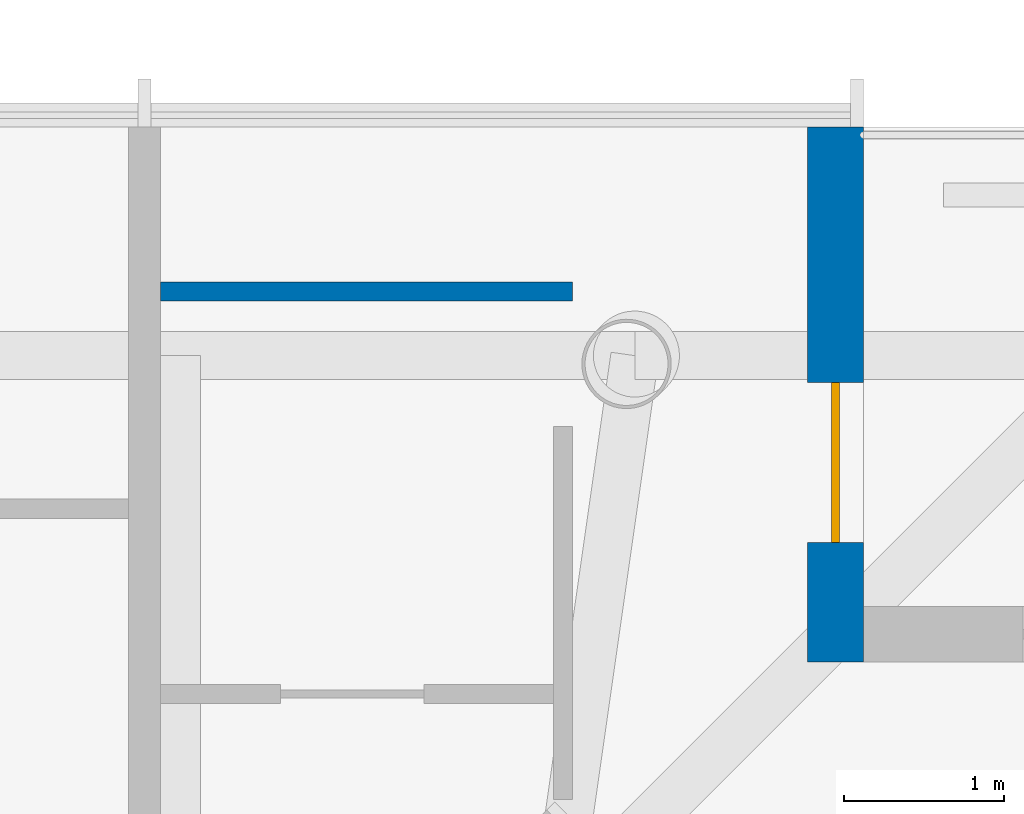
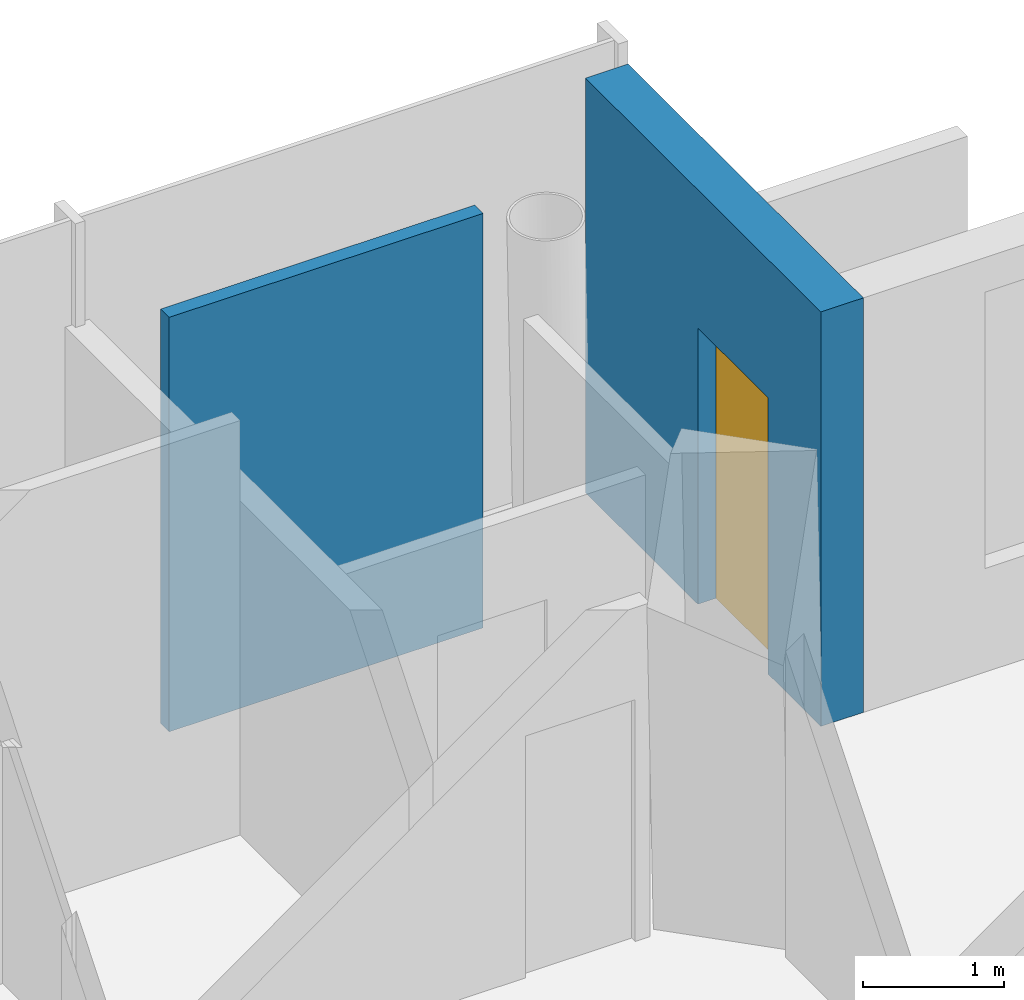
# One storey, part 16 of 27: 2 walls, 1 door, 1 opening.
"""IFC4 building model written with IfcOpenShell, lengths in metres."""

import ifcopenshell
import ifcopenshell.guid

model = None  # the IFC model being written
_history = None  # IfcOwnerHistory: only IFC2X3 demands one
_inside = {}  # id of a spatial element -> (the spatial element, [elements in it])
_under = {}  # id of a project, library or spatial element -> (it, [spatial elements below it])
_declared = {}  # id of a project -> (the project, [libraries it declares])
_typed = {}  # id of a type object -> (the type object, [elements of that type])
_made_of = {}  # id of a material, layer set ... -> (it, [elements and type objects made of it])


def new_model(schema):
    """Start an empty IFC model of exactly this schema.

    Asked for "IFC4X3", IfcOpenShell would pick the latest addendum, in which some entities
    have other attributes; the version numbers below select the first issue.
    IFC2X3 requires an IfcOwnerHistory on every rooted entity: one is made here for all.
    """
    global model, _history
    if schema == "IFC4X3":
        model = ifcopenshell.file(schema_version=(4, 3, 0, 0))
    else:
        model = ifcopenshell.file(schema=schema)
    _inside.clear()
    _under.clear()
    _declared.clear()
    _typed.clear()
    _made_of.clear()
    _history = None
    if model.schema == "IFC2X3":
        org = make("IfcOrganization", Name="unknown")
        user = make(
            "IfcPersonAndOrganization",
            ThePerson=make("IfcPerson", FamilyName="unknown"),
            TheOrganization=org,
        )
        app = make(
            "IfcApplication",
            ApplicationDeveloper=org,
            Version="unknown",
            ApplicationFullName="unknown",
            ApplicationIdentifier="unknown",
        )
        _history = make(
            "IfcOwnerHistory",
            OwningUser=user,
            OwningApplication=app,
            ChangeAction="ADDED",
            CreationDate=0,
        )
    return model


def make(cls, **values):
    """One entity of the class cls with the attributes given. An attribute that is None is left unset."""
    return model.create_entity(
        cls, **{name: value for name, value in values.items() if value is not None}
    )


def rooted(cls, **values):
    """An entity with a GlobalId (a new one), such as an element, a storey or a relation."""
    return make(cls, GlobalId=ifcopenshell.guid.new(), OwnerHistory=_history, **values)


def si_unit(unit_type, name, prefix=None):
    """IfcSIUnit, for example si_unit("LENGTHUNIT", "METRE", prefix="MILLI")."""
    return make("IfcSIUnit", UnitType=unit_type, Prefix=prefix, Name=name)


def assignment(units):
    """IfcUnitAssignment: the units of a project."""
    return None if units is None else make("IfcUnitAssignment", Units=units)


def point(xyz):
    """IfcCartesianPoint."""
    return None if xyz is None else make("IfcCartesianPoint", Coordinates=xyz)


def direction(xyz):
    """IfcDirection."""
    return None if xyz is None else make("IfcDirection", DirectionRatios=xyz)


def frame(location, z_axis=None, x_axis=None):
    """IfcAxis2Placement3D, a coordinate frame: its origin and axes. An axis left out is left unset."""
    return make(
        "IfcAxis2Placement3D",
        Location=point(location),
        Axis=direction(z_axis),
        RefDirection=direction(x_axis),
    )


def frame_2d(location, x_axis=None):
    """IfcAxis2Placement2D, a coordinate frame in the plane: its origin and x axis."""
    return make(
        "IfcAxis2Placement2D", Location=point(location), RefDirection=direction(x_axis)
    )


def origin():
    """The frame at (0, 0, 0) with its axes left unset."""
    return frame((0.0, 0.0, 0.0))


def place(relative_to, where):
    """IfcLocalPlacement: puts the frame where relative to a parent placement (None: the world)."""
    return make(
        "IfcLocalPlacement", PlacementRelTo=relative_to, RelativePlacement=where
    )


def context(
    kind, dimensions, precision=None, world=None, true_north=None, identifier=None
):
    """IfcGeometricRepresentationContext, for example the 3D "Model" context."""
    return make(
        "IfcGeometricRepresentationContext",
        ContextIdentifier=identifier,
        ContextType=kind,
        CoordinateSpaceDimension=dimensions,
        Precision=precision,
        WorldCoordinateSystem=world,
        TrueNorth=true_north,
    )


def subcontext(parent, identifier, kind, view, scale=None):
    """IfcGeometricRepresentationSubContext, for example "Body" below "Model"."""
    return make(
        "IfcGeometricRepresentationSubContext",
        ContextIdentifier=identifier,
        ContextType=kind,
        ParentContext=parent,
        TargetScale=scale,
        TargetView=view,
    )


def project(units=None, contexts=None):
    """IfcProject with its units and contexts."""
    return rooted(
        "IfcProject",
        Name="project",
        RepresentationContexts=contexts,
        UnitsInContext=assignment(units),
    )


def spatial(cls, under=None, at=None, **own):
    """A site, building, storey or space (cls), placed at a placement, below another one or the project."""
    s = rooted(cls, ObjectPlacement=at, **own)
    if under is not None:
        _under.setdefault(under.id(), (under, []))[1].append(s)
    return s


def profile(cls, at=None, kind="AREA", **sizes):
    """A parametric profile (cls). Its sizes go by their IFC names, for example OverallWidth=200.0."""
    return make(cls, ProfileType=kind, Position=at, **sizes)


def rectangle(**sizes):
    """IfcRectangleProfileDef."""
    return profile("IfcRectangleProfileDef", **sizes)


def extrude(swept, where, along, depth):
    """IfcExtrudedAreaSolid: the profile swept, set in the frame where, extruded along a direction by depth."""
    return make(
        "IfcExtrudedAreaSolid",
        SweptArea=swept,
        Position=where,
        ExtrudedDirection=direction(along),
        Depth=depth,
    )


def shape(context_of_items, identifier, shape_type, items):
    """IfcShapeRepresentation: the items that make up one representation, for example the "Body"."""
    return make(
        "IfcShapeRepresentation",
        ContextOfItems=context_of_items,
        RepresentationIdentifier=identifier,
        RepresentationType=shape_type,
        Items=items,
    )


def material(Name=None, Category=None):
    """IfcMaterial."""
    return make("IfcMaterial", Name=Name, Category=Category)


def layer(
    of_material, thickness, ventilated=None, Name=None, Category=None, Priority=None
):
    """IfcMaterialLayer: one layer of a wall or slab, of a material (None: an air gap)."""
    return make(
        "IfcMaterialLayer",
        Material=of_material,
        LayerThickness=thickness,
        IsVentilated=ventilated,
        Name=Name,
        Category=Category,
        Priority=Priority,
    )


def layer_set(layers, Name=None):
    """IfcMaterialLayerSet."""
    return make("IfcMaterialLayerSet", MaterialLayers=layers, LayerSetName=Name)


def made_of(thing, what):
    """Note that an element or type object is made of a material, layer set ...; save() writes the relation."""
    if what is not None:
        _made_of.setdefault(what.id(), (what, []))[1].append(thing)
    return thing


def type_object(cls, material=None, **own):
    """A type object (cls), such as IfcWallType, which elements share."""
    return made_of(rooted(cls, **own), material)


def element(
    cls,
    number,
    at=None,
    inside=None,
    cuts=None,
    type_object=None,
    material=None,
    context=None,
    identifier="Body",
    shape_type=None,
    held_by="IfcProductDefinitionShape",
    body=None,
    shapes=None,
    **own,
):
    """One element of the class cls, such as IfcWall. Its Tag is "e" and its number.

    at: its placement. inside: the storey or other place that contains it. cuts: it is an
    opening in that element (IfcRelVoidsElement). A single representation is given by context,
    identifier, shape_type and body (its items); several are given by shapes. held_by: the class
    of the entity that holds the representations. save() writes the other relations.
    """
    e = rooted(cls, Tag="e%d" % number, ObjectPlacement=at, **own)
    if body is not None:
        shapes = [shape(context, identifier, shape_type, body)]
    if shapes is not None:
        e.Representation = make(held_by, Representations=shapes)
    if inside is not None:
        _inside.setdefault(inside.id(), (inside, []))[1].append(e)
    if cuts is not None:
        rooted(
            "IfcRelVoidsElement", RelatingBuildingElement=cuts, RelatedOpeningElement=e
        )
    if type_object is not None:
        _typed.setdefault(type_object.id(), (type_object, []))[1].append(e)
    return made_of(e, material)


def fill(opening, filler):
    """IfcRelFillsElement: the door or window that sits in an opening."""
    return rooted(
        "IfcRelFillsElement",
        RelatingOpeningElement=opening,
        RelatedBuildingElement=filler,
    )


def aggregate(whole, parts):
    """IfcRelAggregates: a whole, such as a stair, and the parts it consists of."""
    return rooted("IfcRelAggregates", RelatingObject=whole, RelatedObjects=parts)


def save(model, path):
    """Write the relations noted so far, then the file.

    IfcRelAggregates (storeys below a building ...), IfcRelContainedInSpatialStructure (elements
    in a storey), IfcRelDefinesByType, IfcRelAssociatesMaterial and IfcRelDeclares: one each for
    every whole, place, type object, material and project.
    """
    for whole, parts in _under.values():
        aggregate(whole, parts)
    for where, things in _inside.values():
        rooted(
            "IfcRelContainedInSpatialStructure",
            RelatedElements=things,
            RelatingStructure=where,
        )
    for kind, things in _typed.values():
        rooted("IfcRelDefinesByType", RelatedObjects=things, RelatingType=kind)
    for what, things in _made_of.values():
        rooted("IfcRelAssociatesMaterial", RelatedObjects=things, RelatingMaterial=what)
    for by, libraries in _declared.values():
        rooted("IfcRelDeclares", RelatingContext=by, RelatedDefinitions=libraries)
    model.write(path)


model = new_model("IFC4")

# Units and contexts
model_context = context("Model", 3, precision=1e-05, world=origin(), true_north=direction((0.0, 1.0)))
body_context = subcontext(model_context, "Body", "Model", "MODEL_VIEW")
ifc_project = project(units=[si_unit("LENGTHUNIT", "METRE"), si_unit("AREAUNIT", "SQUARE_METRE"), si_unit("VOLUMEUNIT", "CUBIC_METRE"), si_unit("PLANEANGLEUNIT", "RADIAN"), si_unit("MASSUNIT", "GRAM", prefix="KILO")], contexts=[model_context])

# Site, building, storey
site_placement = place(None, origin())
site = spatial("IfcSite", under=ifc_project, at=site_placement, CompositionType="ELEMENT")
building_placement = place(site_placement, origin())
building = spatial("IfcBuilding", under=site, at=building_placement, Name="Ostroluk Exchange", CompositionType="ELEMENT")
storey_placement = place(building_placement, frame((0.0, 0.0, 112.199951171875)))
storey = spatial("IfcBuildingStorey", under=building, at=storey_placement, Name="L28", CompositionType="ELEMENT", Elevation=112.199951171875)

# Wall, opening, door
ifc_material_1 = material(Name="Limestone", Category="masonry")
ifc_layer_1 = layer(ifc_material_1, 0.35009765625)
ifc_layer_set_1 = layer_set([ifc_layer_1], Name="Limestone facade wall 350")
wall_type_1 = type_object("IfcWallType", Name="Limestone facade wall 350", PredefinedType="SOLIDWALL", material=ifc_layer_set_1)
wall_1_placement = place(storey_placement, frame((130.324951171875, 62.5, 0.0), z_axis=(0.0, 0.0, 1.0), x_axis=(0.0, -1.0, 0.0)))
wall_1 = element("IfcWall", 1, at=wall_1_placement, inside=storey, type_object=wall_type_1, Name="Hotel tower NE corner wall L28 a", PredefinedType="SOLIDWALL", context=body_context, shape_type="SweptSolid", body=[
    extrude(rectangle(XDim=3.35009765625, YDim=0.35009765625, at=frame_2d((1.675048828125, 0.0))), origin(), (0.0, 0.0, 1.0), 3.60009765625),
])
opening_placement = place(wall_1_placement, frame((1.60009765625, 0.0, 0.0)))
opening = element("IfcOpeningElement", 2, at=opening_placement, cuts=wall_1, Name="Opening D-B1", PredefinedType="OPENING", context=body_context, shape_type="SweptSolid", body=[
    extrude(rectangle(XDim=1.0, YDim=2.39990234375, at=frame_2d((0.5, 1.199951171875))), frame((0.0, 0.18505859375, 0.0), z_axis=(0.0, -1.0, 0.0), x_axis=(1.0, 0.0, 0.0)), (0.0, 0.0, 1.0), 0.3701171875),
])
ifc_material_2 = material(Name="Bronze framed glazed door", Category="aluminium")
door_type = type_object("IfcDoorType", Name="Balcony door 1000 x 2400", OperationType="SINGLE_SWING_LEFT", PredefinedType="DOOR", material=ifc_material_2)
door_placement = place(opening_placement, origin())
door = element("IfcDoor", 3, at=door_placement, inside=storey, type_object=door_type, Name="Hotel tower NE balcony door L28", OperationType="SINGLE_SWING_RIGHT", OverallHeight=2.39990234375, OverallWidth=1.0, PredefinedType="DOOR", context=body_context, shape_type="SweptSolid", body=[
    extrude(rectangle(XDim=1.0, YDim=2.39990234375, at=frame_2d((0.5, 1.199951171875))), frame((0.0, 0.02490234375, 0.0), z_axis=(0.0, -1.0, 0.0), x_axis=(1.0, 0.0, 0.0)), (0.0, 0.0, 1.0), 0.050048828125),
])
fill(opening, door)

# Wall
ifc_material_3 = material(Name="Gypsum plasterboard partition, moisture resistant", Category="gypsum")
ifc_layer_2 = layer(ifc_material_3, 0.1201171875)
ifc_layer_set_2 = layer_set([ifc_layer_2], Name="Plasterboard en-suite wall 120")
wall_type_2 = type_object("IfcWallType", Name="Plasterboard en-suite wall 120", PredefinedType="PARTITIONING", material=ifc_layer_set_2)
wall_2_placement = place(storey_placement, frame((126.10009765625, 61.469970703125, 0.0), z_axis=(0.0, 0.0, 1.0), x_axis=(1.0, 0.0, 0.0)))
element("IfcWall", 4, at=wall_2_placement, inside=storey, type_object=wall_type_2, Name="En-suite wall", PredefinedType="PARTITIONING", context=body_context, shape_type="SweptSolid", body=[
    extrude(rectangle(XDim=2.579833984375, YDim=0.1201171875, at=frame_2d((1.2900390625, 0.0))), origin(), (0.0, 0.0, 1.0), 3.60009765625),
])

save(model, "model.ifc")
